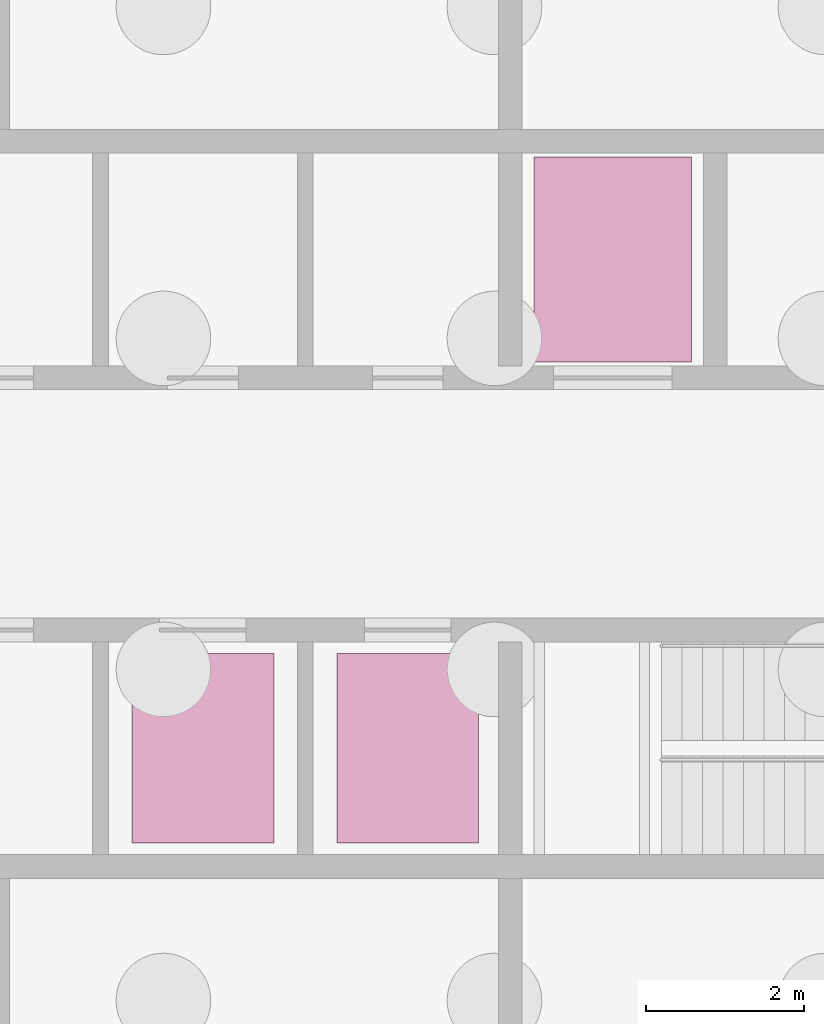
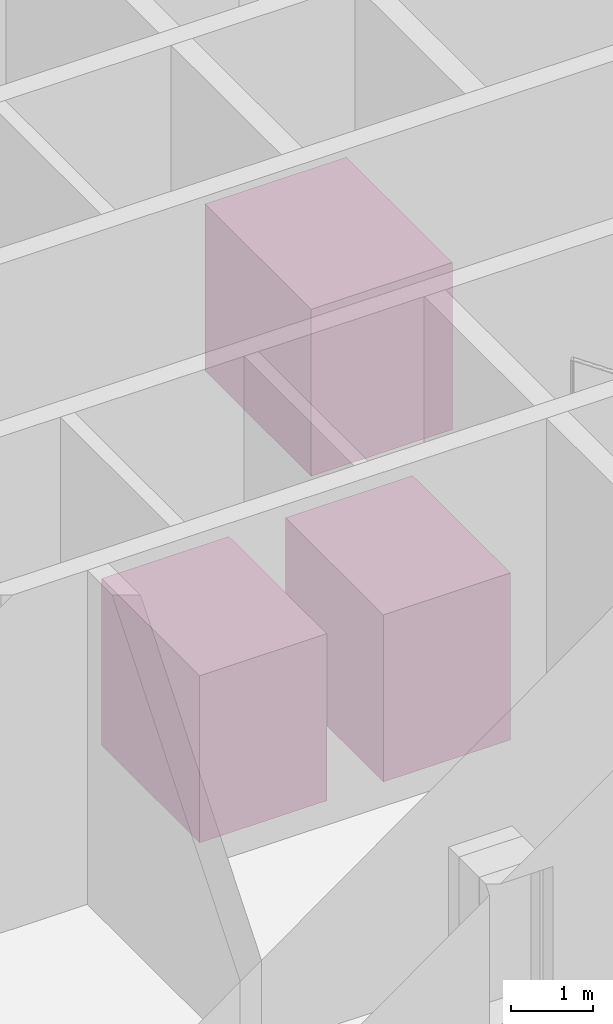
# One storey, part 11 of 11: 3 transport elements.
"""IFC4 building model written with IfcOpenShell, lengths in metres."""

from ifc_helpers import new_model, si_unit, direction, frame, origin, origin_2d, place, context, subcontext, project, spatial, rectangle, extrude, material, type_object, element, save


model = new_model("IFC4")

# Units and contexts
model_context = context("Model", 3, precision=1e-05, world=origin(), true_north=direction((0.0, 1.0)))
body_context = subcontext(model_context, "Body", "Model", "MODEL_VIEW")
ifc_project = project(units=[si_unit("LENGTHUNIT", "METRE"), si_unit("AREAUNIT", "SQUARE_METRE"), si_unit("VOLUMEUNIT", "CUBIC_METRE"), si_unit("PLANEANGLEUNIT", "RADIAN"), si_unit("MASSUNIT", "GRAM", prefix="KILO")], contexts=[model_context])

# Site, building, storey
site_placement = place(None, origin())
site = spatial("IfcSite", under=ifc_project, at=site_placement, CompositionType="ELEMENT")
building_placement = place(site_placement, origin())
building = spatial("IfcBuilding", under=site, at=building_placement, Name="Marramba Exchange Tower", CompositionType="ELEMENT")
storey_placement = place(building_placement, frame((0.0, 0.0, -5.0)))
storey = spatial("IfcBuildingStorey", under=building, at=storey_placement, Name="B1", CompositionType="ELEMENT", Elevation=-5.0)

# Transport elements
ifc_material = material(Name="Steel lift car, stainless steel lining", Category="steel")
transport_element_type_1 = type_object("IfcTransportElementType", Name="Emergency (fire-fighting) lift car 1800x2400", PredefinedType="ELEVATOR", material=ifc_material)
for number, where, z_axis, x_axis, name in (
    (1, (2.60009765625, -3.10009765625, 0.0), (0.0, 0.0, 1.0), (1.0, 0.0, 0.0), "Lift FL1"),
    (2, (5.199951171875, -3.10009765625, 0.0), (0.0, 0.0, 1.0), (1.0, 0.0, 0.0), "Lift FL2"),
):
    element("IfcTransportElement", number, at=place(storey_placement, frame(where, z_axis=z_axis, x_axis=x_axis)), inside=storey, type_object=transport_element_type_1, Name=name, PredefinedType="ELEVATOR", context=body_context, shape_type="SweptSolid", body=[
        extrude(rectangle(XDim=1.800048828125, YDim=2.39990234375, at=origin_2d()), origin(), (0.0, 0.0, 1.0), 2.5),
    ])
transport_element_type_2 = type_object("IfcTransportElementType", Name="Goods and service lift car 2000x2600", PredefinedType="ELEVATOR", material=ifc_material)
transport_element_placement = place(storey_placement, frame((7.800048828125, 3.10009765625, 0.0), z_axis=(0.0, 0.0, 1.0), x_axis=(1.0, 0.0, 0.0)))
element("IfcTransportElement", 3, at=transport_element_placement, inside=storey, type_object=transport_element_type_2, Name="Lift GL1", PredefinedType="ELEVATOR", context=body_context, shape_type="SweptSolid", body=[
    extrude(rectangle(XDim=2.0, YDim=2.60009765625, at=origin_2d()), origin(), (0.0, 0.0, 1.0), 2.5),
])

save(model, "model.ifc")
